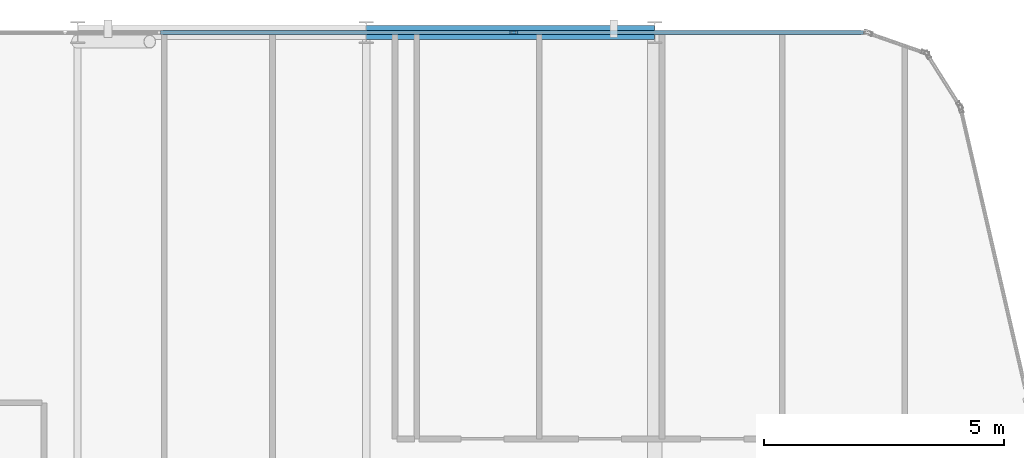
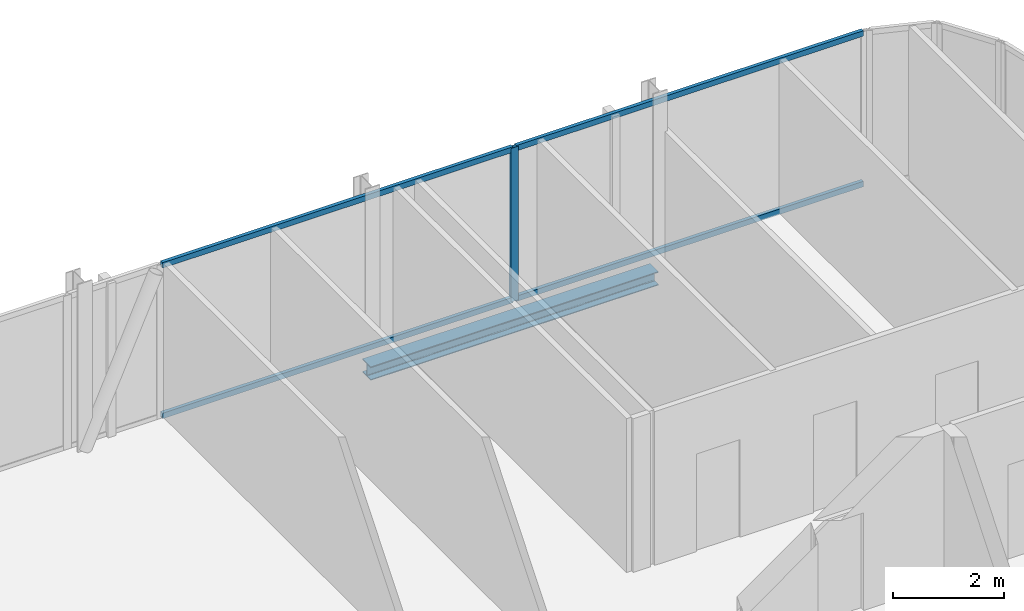
# One storey, part 19 of 29: 5 members, 1 beam, 1 element without a shape of its own.
"""IFC4 building model written with IfcOpenShell, lengths in metres."""

from ifc_helpers import new_model, si_unit, direction, frame, origin, origin_2d, place, context, subcontext, project, spatial, hollow_rectangle, i_section, extrude, material, layer, layer_set, material_profile, profile_set, type_object, element, aggregate, save


model = new_model("IFC4")

# Units and contexts
model_context = context("Model", 3, precision=1e-05, world=origin(), true_north=direction((0.0, 1.0)))
body_context = subcontext(model_context, "Body", "Model", "MODEL_VIEW")
ifc_project = project(units=[si_unit("LENGTHUNIT", "METRE"), si_unit("AREAUNIT", "SQUARE_METRE"), si_unit("VOLUMEUNIT", "CUBIC_METRE"), si_unit("PLANEANGLEUNIT", "RADIAN"), si_unit("MASSUNIT", "GRAM", prefix="KILO")], contexts=[model_context])

# Site, building, storey
site_placement = place(None, origin())
site = spatial("IfcSite", under=ifc_project, at=site_placement, CompositionType="ELEMENT")
building_placement = place(site_placement, origin())
building = spatial("IfcBuilding", under=site, at=building_placement, Name="Keshet Zoharim Tower", CompositionType="ELEMENT")
storey_placement = place(building_placement, frame((0.0, 0.0, 226.5)))
storey = spatial("IfcBuildingStorey", under=building, at=storey_placement, Name="L56", CompositionType="ELEMENT", Elevation=226.5)

# Beam
ifc_material_1 = material(Name="Steel S355", Category="steel")
ifc_material_profile_1 = material_profile(ifc_material_1, i_section(OverallWidth=0.300048828125, OverallDepth=0.300048828125, WebThickness=0.010986328125, FlangeThickness=0.01904296875, FilletRadius=0.027099609375, at=origin_2d()), Name="HEB300")
ifc_profile_set_1 = profile_set([ifc_material_profile_1], Name="Steel S355")
beam_type = type_object("IfcBeamType", Name="BM-PRI-HB300", PredefinedType="BEAM", material=ifc_profile_set_1)
beam_placement = place(storey_placement, frame((27.0, 53.89990234375, -0.4599609375), z_axis=(1.0, 0.0, 0.0), x_axis=(0.0, 1.0, 0.0)))
element("IfcBeam", 1, at=beam_placement, inside=storey, type_object=beam_type, Name="L56 Primary Girder X-020", PredefinedType="BEAM", context=body_context, shape_type="SweptSolid", body=[
    extrude(i_section(OverallWidth=0.300048828125, OverallDepth=0.300048828125, WebThickness=0.010986328125, FlangeThickness=0.01904296875, FilletRadius=0.027099609375, at=origin_2d()), origin(), (0.0, 0.0, 1.0), 6.0),
])

# Curtain wall, members
ifc_material_2 = material(Name="Aluminium 6063-T6", Category="aluminium")
ifc_layer = layer(ifc_material_2, 0.139892578125)
ifc_layer_set = layer_set([ifc_layer], Name="Aluminium 6063-T6")
curtain_wall_type = type_object("IfcCurtainWallType", Name="CW-SYS-05", PredefinedType="NOTDEFINED", material=ifc_layer_set)
curtain_wall_placement = place(storey_placement, origin())
curtain_wall = element("IfcCurtainWall", 2, at=curtain_wall_placement, inside=storey, type_object=curtain_wall_type, Name="L56 Unitised Curtain Wall 16 Part 3", PredefinedType="NOTDEFINED")
ifc_material_profile_2 = material_profile(ifc_material_2, hollow_rectangle(XDim=0.074951171875, YDim=0.159912109375, WallThickness=0.00390625, at=origin_2d()), Name="MUL-75x160")
ifc_profile_set_2 = profile_set([ifc_material_profile_2], Name="Aluminium 6063-T6")
member_type_1 = type_object("IfcMemberType", Name="CWM-M15", PredefinedType="MULLION", material=ifc_profile_set_2)
member_1_placement = place(storey_placement, frame((30.06689453125, 53.89990234375, 0.0), z_axis=(0.0, 0.0, 1.0), x_axis=(0.0, 1.0, 0.0)))
member_1 = element("IfcMember", 3, at=member_1_placement, type_object=member_type_1, Name="CW-05 mullion 2", PredefinedType="MULLION", context=body_context, shape_type="SweptSolid", body=[
    extrude(hollow_rectangle(XDim=0.074951171875, YDim=0.159912109375, WallThickness=0.00390625, at=origin_2d()), origin(), (0.0, 0.0, 1.0), 3.389892578125),
])
ifc_material_profile_3 = material_profile(ifc_material_2, hollow_rectangle(XDim=0.074951171875, YDim=0.1201171875, WallThickness=0.00390625, at=origin_2d()), Name="TRN-75x120")
ifc_profile_set_3 = profile_set([ifc_material_profile_3], Name="Aluminium 6063-T6")
member_type_2 = type_object("IfcMemberType", Name="CWT-T12", PredefinedType="USERDEFINED", material=ifc_profile_set_3)
member_2_placement = place(storey_placement, frame((22.724853515625, 53.89990234375, 0.034912109375), z_axis=(1.0, 0.0, 0.0), x_axis=(0.0, 1.0, 0.0)))
member_2 = element("IfcMember", 4, at=member_2_placement, type_object=member_type_2, Name="CW-05 transom 1.1", ObjectType="TRANSOM", PredefinedType="USERDEFINED", context=body_context, shape_type="SweptSolid", body=[
    extrude(hollow_rectangle(XDim=0.074951171875, YDim=0.1201171875, WallThickness=0.00390625, at=origin_2d()), origin(), (0.0, 0.0, 1.0), 7.30712890625),
])
member_3_placement = place(storey_placement, frame((22.724853515625, 53.89990234375, 3.35498046875), z_axis=(1.0, 0.0, 0.0), x_axis=(0.0, 1.0, 0.0)))
member_3 = element("IfcMember", 5, at=member_3_placement, type_object=member_type_2, Name="CW-05 transom 1.2", ObjectType="TRANSOM", PredefinedType="USERDEFINED", context=body_context, shape_type="SweptSolid", body=[
    extrude(hollow_rectangle(XDim=0.074951171875, YDim=0.1201171875, WallThickness=0.00390625, at=origin_2d()), origin(), (0.0, 0.0, 1.0), 7.30712890625),
])
member_4_placement = place(storey_placement, frame((30.101806640625, 53.89990234375, 0.034912109375), z_axis=(1.0, 0.0, 0.0), x_axis=(0.0, 1.0, 0.0)))
member_4 = element("IfcMember", 6, at=member_4_placement, type_object=member_type_2, Name="CW-05 transom 2.1", ObjectType="TRANSOM", PredefinedType="USERDEFINED", context=body_context, shape_type="SweptSolid", body=[
    extrude(hollow_rectangle(XDim=0.074951171875, YDim=0.1201171875, WallThickness=0.00390625, at=origin_2d()), origin(), (0.0, 0.0, 1.0), 7.2373046875),
])
member_5_placement = place(storey_placement, frame((30.101806640625, 53.89990234375, 3.35498046875), z_axis=(1.0, 0.0, 0.0), x_axis=(0.0, 1.0, 0.0)))
member_5 = element("IfcMember", 7, at=member_5_placement, type_object=member_type_2, Name="CW-05 transom 2.2", ObjectType="TRANSOM", PredefinedType="USERDEFINED", context=body_context, shape_type="SweptSolid", body=[
    extrude(hollow_rectangle(XDim=0.074951171875, YDim=0.1201171875, WallThickness=0.00390625, at=origin_2d()), origin(), (0.0, 0.0, 1.0), 7.2373046875),
])
aggregate(curtain_wall, [member_1, member_2, member_3, member_4, member_5])

save(model, "model.ifc")
